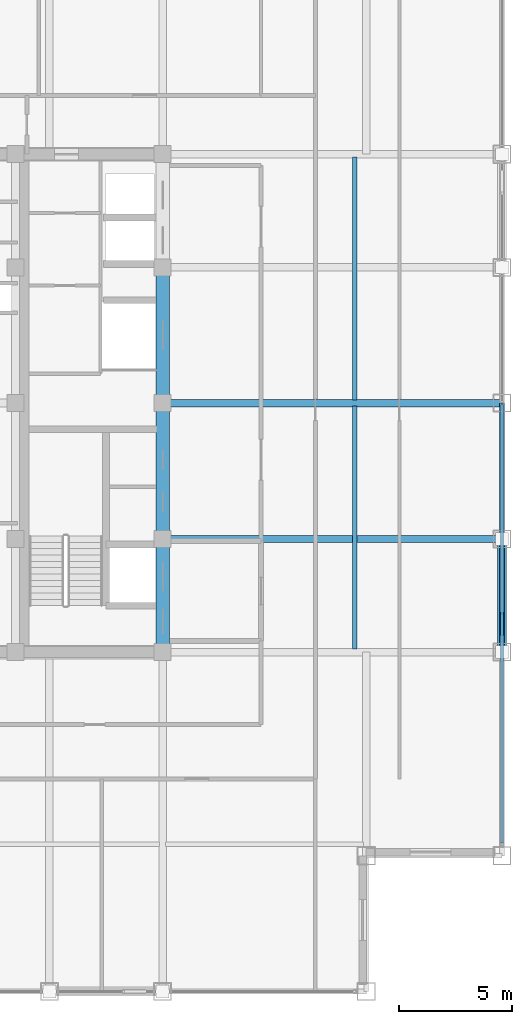
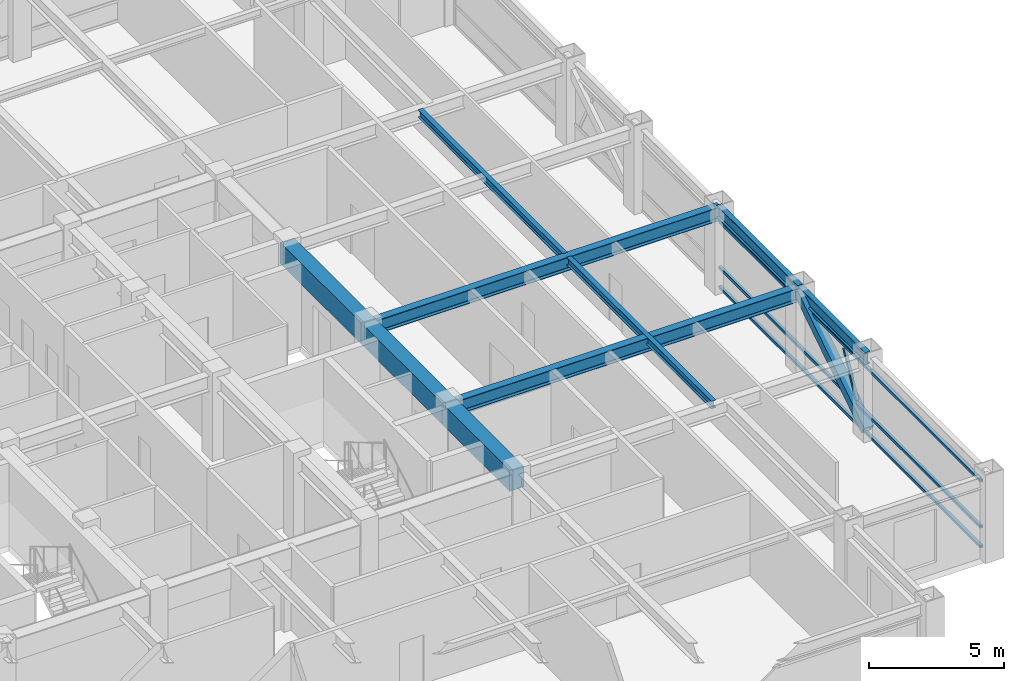
# One storey, part 11 of 28: 9 beams, 5 members, 1 element without a shape of its own.
"""IFC4 building model written with IfcOpenShell, lengths in metres."""

from ifc_helpers import new_model, si_unit, direction, frame, origin, origin_2d, place, context, subcontext, project, spatial, rectangle, hollow_rectangle, i_section, extrude, source, transform, mapped, material, material_profile, profile_set, type_object, element, aggregate, save


model = new_model("IFC4")

# Units and contexts
model_context = context("Model", 3, precision=1e-05, world=origin(), true_north=direction((0.0, 1.0)))
body_context = subcontext(model_context, "Body", "Model", "MODEL_VIEW")
ifc_project = project(units=[si_unit("LENGTHUNIT", "METRE"), si_unit("AREAUNIT", "SQUARE_METRE"), si_unit("VOLUMEUNIT", "CUBIC_METRE"), si_unit("PLANEANGLEUNIT", "RADIAN"), si_unit("MASSUNIT", "GRAM", prefix="KILO")], contexts=[model_context])

# Site, building, storey
site_placement = place(None, origin())
site = spatial("IfcSite", under=ifc_project, at=site_placement, CompositionType="ELEMENT")
building_placement = place(site_placement, origin())
building = spatial("IfcBuilding", under=site, at=building_placement, Name="Khorayat Bourse Tower", CompositionType="ELEMENT")
storey_placement = place(building_placement, frame((0.0, 0.0, 330.300048828125)))
storey = spatial("IfcBuildingStorey", under=building, at=storey_placement, Name="L78", CompositionType="ELEMENT", Elevation=330.300048828125)

# Beams
ifc_material_1 = material(Name="Concrete C60/75", Category="concrete")
ifc_material_profile_1 = material_profile(ifc_material_1, rectangle(XDim=0.60009765625, YDim=0.949951171875, at=origin_2d()), Name="RC 600x950")
ifc_profile_set_1 = profile_set([ifc_material_profile_1], Name="Concrete C60/75")
beam_type_1 = type_object("IfcBeamType", Name="BM-COUP-950", PredefinedType="BEAM", material=ifc_profile_set_1)
shared_shape_1 = source(origin(), body_context, "Body", "SweptSolid", [
    extrude(rectangle(XDim=0.60009765625, YDim=0.949951171875, at=origin_2d()), origin(), (0.0, 0.0, 1.0), 5.0),
])
beam_1_placement = place(storey_placement, frame((11.0, -11.0, 3.264892578125), z_axis=(0.0, 1.0, 0.0), x_axis=(-1.0, 0.0, 0.0)))
element("IfcBeam", 1, at=beam_1_placement, inside=storey, type_object=beam_type_1, Name="L78 BM-COUP-950 BM-L78-CRX-13", PredefinedType="BEAM", context=body_context, shape_type="MappedRepresentation", body=[
    mapped(shared_shape_1, transform((0.0, 0.0, 0.0), scale=1.0)),
])
shared_shape_2 = source(origin(), body_context, "Body", "SweptSolid", [
    extrude(rectangle(XDim=0.60009765625, YDim=0.949951171875, at=origin_2d()), origin(), (0.0, 0.0, 1.0), 6.0),
])
for number, where, z_axis, x_axis, name in (
    (2, (11.0, -6.0, 3.264892578125), (0.0, 1.0, 0.0), (-1.0, 0.0, 0.0), "L78 BM-COUP-950 BM-L78-CRX-14"),
    (3, (11.0, 0.0, 3.264892578125), (0.0, 1.0, 0.0), (-1.0, 0.0, 0.0), "L78 BM-COUP-950 BM-L78-CRX-15"),
):
    element("IfcBeam", number, at=place(storey_placement, frame(where, z_axis=z_axis, x_axis=x_axis)), inside=storey, type_object=beam_type_1, Name=name, PredefinedType="BEAM", context=body_context, shape_type="MappedRepresentation", body=[
        mapped(shared_shape_2, transform((0.0, 0.0, 0.0), scale=1.0)),
    ])
ifc_material_2 = material(Name="Steel ASTM A992 Grade 50", Category="steel")
ifc_material_profile_2 = material_profile(ifc_material_2, i_section(OverallWidth=0.202880859375, OverallDepth=0.346923828125, WebThickness=0.0078125, FlangeThickness=0.013427734375, FilletRadius=0.010009765625, at=origin_2d()), Name="W360X64")
ifc_profile_set_2 = profile_set([ifc_material_profile_2], Name="Steel ASTM A992 Grade 50")
beam_type_2 = type_object("IfcBeamType", Name="BM-JOIST-360", PredefinedType="JOIST", material=ifc_profile_set_2)
shared_shape_3 = source(origin(), body_context, "Body", "SweptSolid", [
    extrude(i_section(OverallWidth=0.202880859375, OverallDepth=0.346923828125, WebThickness=0.0078125, FlangeThickness=0.013427734375, FilletRadius=0.010009765625, at=origin_2d()), origin(), (0.0, 0.0, 1.0), 10.740234375),
])
for number, where, z_axis, x_axis, name in (
    (4, (19.5, -10.8701171875, 3.56640625), (0.0, 1.0, 0.0), (-1.0, 0.0, 0.0), "L78 BM-JOIST-360 BM-L78-JSTY-088"),
    (5, (19.5, 0.1298828125, 3.56640625), (0.0, 1.0, 0.0), (-1.0, 0.0, 0.0), "L78 BM-JOIST-360 BM-L78-JSTY-089"),
):
    element("IfcBeam", number, at=place(storey_placement, frame(where, z_axis=z_axis, x_axis=x_axis)), inside=storey, type_object=beam_type_2, Name=name, PredefinedType="JOIST", context=body_context, shape_type="MappedRepresentation", body=[
        mapped(shared_shape_3, transform((0.0, 0.0, 0.0), scale=1.0)),
    ])
ifc_material_profile_3 = material_profile(ifc_material_2, i_section(OverallWidth=0.214111328125, OverallDepth=0.549072265625, WebThickness=0.0146484375, FlangeThickness=0.023681640625, FilletRadius=0.013916015625, at=origin_2d()), Name="W530X138")
ifc_profile_set_3 = profile_set([ifc_material_profile_3], Name="Steel ASTM A992 Grade 50")
beam_type_3 = type_object("IfcBeamType", Name="BM-SPAN-530", PredefinedType="SPANDREL", material=ifc_profile_set_3)
shared_shape_4 = source(origin(), body_context, "Body", "SweptSolid", [
    extrude(i_section(OverallWidth=0.214111328125, OverallDepth=0.549072265625, WebThickness=0.0146484375, FlangeThickness=0.023681640625, FilletRadius=0.013916015625, at=origin_2d()), origin(), (0.0, 0.0, 1.0), 5.0),
])
beam_2_placement = place(storey_placement, frame((26.0, -11.0, 3.46533203125), z_axis=(0.0, 1.0, 0.0), x_axis=(-1.0, 0.0, 0.0)))
element("IfcBeam", 6, at=beam_2_placement, inside=storey, type_object=beam_type_3, Name="L78 BM-SPAN-530 BM-L78-SPN-033", PredefinedType="SPANDREL", context=body_context, shape_type="MappedRepresentation", body=[
    mapped(shared_shape_4, transform((0.0, 0.0, 0.0), scale=1.0)),
])
shared_shape_5 = source(origin(), body_context, "Body", "SweptSolid", [
    extrude(i_section(OverallWidth=0.214111328125, OverallDepth=0.549072265625, WebThickness=0.0146484375, FlangeThickness=0.023681640625, FilletRadius=0.013916015625, at=origin_2d()), origin(), (0.0, 0.0, 1.0), 6.0),
])
beam_3_placement = place(storey_placement, frame((26.0, -6.0, 3.46533203125), z_axis=(0.0, 1.0, 0.0), x_axis=(-1.0, 0.0, 0.0)))
element("IfcBeam", 7, at=beam_3_placement, inside=storey, type_object=beam_type_3, Name="L78 BM-SPAN-530 BM-L78-SPN-034", PredefinedType="SPANDREL", context=body_context, shape_type="MappedRepresentation", body=[
    mapped(shared_shape_5, transform((0.0, 0.0, 0.0), scale=1.0)),
])
ifc_material_profile_4 = material_profile(ifc_material_2, i_section(OverallWidth=0.324951171875, OverallDepth=0.615966796875, WebThickness=0.013916015625, FlangeThickness=0.021484375, FilletRadius=0.01611328125, at=origin_2d()), Name="W610X174")
ifc_profile_set_4 = profile_set([ifc_material_profile_4], Name="Steel ASTM A992 Grade 50")
beam_type_4 = type_object("IfcBeamType", Name="BM-GIRD-610", PredefinedType="BEAM", material=ifc_profile_set_4)
shared_shape_6 = source(origin(), body_context, "Body", "SweptSolid", [
    extrude(i_section(OverallWidth=0.324951171875, OverallDepth=0.615966796875, WebThickness=0.013916015625, FlangeThickness=0.021484375, FilletRadius=0.01611328125, at=origin_2d()), origin(), (0.0, 0.0, 1.0), 15.0),
])
for number, where, z_axis, x_axis, name in (
    (8, (11.0, -6.0, 3.431884765625), (1.0, 0.0, 0.0), (0.0, 1.0, 0.0), "L78 BM-GIRD-610 BM-L78-RADX-068"),
    (9, (11.0, 0.0, 3.431884765625), (1.0, 0.0, 0.0), (0.0, 1.0, 0.0), "L78 BM-GIRD-610 BM-L78-RADX-070"),
):
    element("IfcBeam", number, at=place(storey_placement, frame(where, z_axis=z_axis, x_axis=x_axis)), inside=storey, type_object=beam_type_4, Name=name, PredefinedType="BEAM", context=body_context, shape_type="MappedRepresentation", body=[
        mapped(shared_shape_6, transform((0.0, 0.0, 0.0), scale=1.0)),
    ])

# Member
ifc_material_3 = material(Name="Steel EN 10025-4 S460M", Category="steel")
ifc_material_profile_5 = material_profile(ifc_material_3, hollow_rectangle(XDim=0.39990234375, YDim=0.39990234375, WallThickness=0.02197265625, at=origin_2d()), Name="HSS 400x400x22")
ifc_profile_set_5 = profile_set([ifc_material_profile_5], Name="Steel EN 10025-4 S460M")
member_type_1 = type_object("IfcMemberType", Name="MBR-TUBE-400", PredefinedType="BRACE", material=ifc_profile_set_5)
shared_shape_7 = source(origin(), body_context, "Body", "SweptSolid", [
    extrude(hollow_rectangle(XDim=0.39990234375, YDim=0.39990234375, WallThickness=0.02197265625, at=origin_2d()), origin(), (0.0, 0.0, 1.0), 5.9580078125),
])
member_1_placement = place(storey_placement, frame((26.0, -11.0, 0.25), z_axis=(0.0, 0.839210474455, 0.543806748364), x_axis=(-1.0, 0.0, 0.0)))
element("IfcMember", 10, at=member_1_placement, inside=storey, type_object=member_type_1, Name="L78 Perimeter Tube Brace 07", PredefinedType="BRACE", context=body_context, shape_type="MappedRepresentation", body=[
    mapped(shared_shape_7, transform((0.0, 0.0, 0.0), scale=1.0)),
])

# Curtain wall, members
ifc_material_4 = material(Name="Aluminium EN AW-6063 T6", Category="aluminium")
curtain_wall_type = type_object("IfcCurtainWallType", Name="CW-SYS-04", PredefinedType="NOTDEFINED", material=ifc_material_4)
curtain_wall_placement = place(storey_placement, origin())
curtain_wall = element("IfcCurtainWall", 11, at=curtain_wall_placement, inside=storey, type_object=curtain_wall_type, Name="L78 Curtain Wall CW-L78-E1", PredefinedType="NOTDEFINED")
ifc_material_profile_6 = material_profile(ifc_material_4, hollow_rectangle(XDim=0.1201171875, YDim=0.1201171875, WallThickness=0.0048828125, at=origin_2d()), Name="ALU 120x120x5")
ifc_profile_set_6 = profile_set([ifc_material_profile_6], Name="Aluminium EN AW-6063 T6")
member_type_2 = type_object("IfcMemberType", Name="CWM-DIAG-120", PredefinedType="MULLION", material=ifc_profile_set_6)
shared_shape_8 = source(origin(), body_context, "Body", "SweptSolid", [
    extrude(hollow_rectangle(XDim=0.1201171875, YDim=0.1201171875, WallThickness=0.0048828125, at=origin_2d()), origin(), (0.0, 0.0, 1.0), 2.0341796875),
])
member_2_placement = place(storey_placement, frame((26.0, -10.21875, 1.08984375), z_axis=(0.0, 0.465790950955, 0.884894790361), x_axis=(-1.0, 0.0, 0.0)))
member_2 = element("IfcMember", 12, at=member_2_placement, type_object=member_type_2, Name="CW-L78-E1 Faceted Diagonal Mullion 1", PredefinedType="MULLION", context=body_context, shape_type="MappedRepresentation", body=[
    mapped(shared_shape_8, transform((0.0, 0.0, 0.0), scale=1.0)),
])
ifc_material_profile_7 = material_profile(ifc_material_4, hollow_rectangle(XDim=0.1201171875, YDim=0.1201171875, WallThickness=0.0048828125, at=origin_2d()), Name="ALU 120x120x5")
ifc_profile_set_7 = profile_set([ifc_material_profile_7], Name="Aluminium EN AW-6063 T6")
member_type_3 = type_object("IfcMemberType", Name="CWT-HORZ-120", PredefinedType="USERDEFINED", material=ifc_profile_set_7)
shared_shape_9 = source(origin(), body_context, "Body", "SweptSolid", [
    extrude(hollow_rectangle(XDim=0.1201171875, YDim=0.1201171875, WallThickness=0.0048828125, at=origin_2d()), origin(), (0.0, 0.0, 1.0), 19.369873046875),
])
member_3_placement = place(storey_placement, frame((26.0, -19.429931640625, 0.06005859375), z_axis=(0.0, 1.0, 0.0), x_axis=(-1.0, 0.0, 0.0)))
member_3 = element("IfcMember", 13, at=member_3_placement, type_object=member_type_3, Name="CW-L78-E1 Horizontal Transom 1-1", ObjectType="TRANSOM", PredefinedType="USERDEFINED", context=body_context, shape_type="MappedRepresentation", body=[
    mapped(shared_shape_9, transform((0.0, 0.0, 0.0), scale=1.0)),
])
member_4_placement = place(storey_placement, frame((26.0, -19.429931640625, 0.949951171875), z_axis=(0.0, 1.0, 0.0), x_axis=(-1.0, 0.0, 0.0)))
member_4 = element("IfcMember", 14, at=member_4_placement, type_object=member_type_3, Name="CW-L78-E1 Horizontal Transom 1-2", ObjectType="TRANSOM", PredefinedType="USERDEFINED", context=body_context, shape_type="MappedRepresentation", body=[
    mapped(shared_shape_9, transform((0.0, 0.0, 0.0), scale=1.0)),
])
member_5_placement = place(storey_placement, frame((26.0, -19.429931640625, 3.030029296875), z_axis=(0.0, 1.0, 0.0), x_axis=(-1.0, 0.0, 0.0)))
member_5 = element("IfcMember", 15, at=member_5_placement, type_object=member_type_3, Name="CW-L78-E1 Horizontal Transom 1-3", ObjectType="TRANSOM", PredefinedType="USERDEFINED", context=body_context, shape_type="MappedRepresentation", body=[
    mapped(shared_shape_9, transform((0.0, 0.0, 0.0), scale=1.0)),
])
aggregate(curtain_wall, [member_3, member_4, member_5, member_2])

save(model, "model.ifc")
